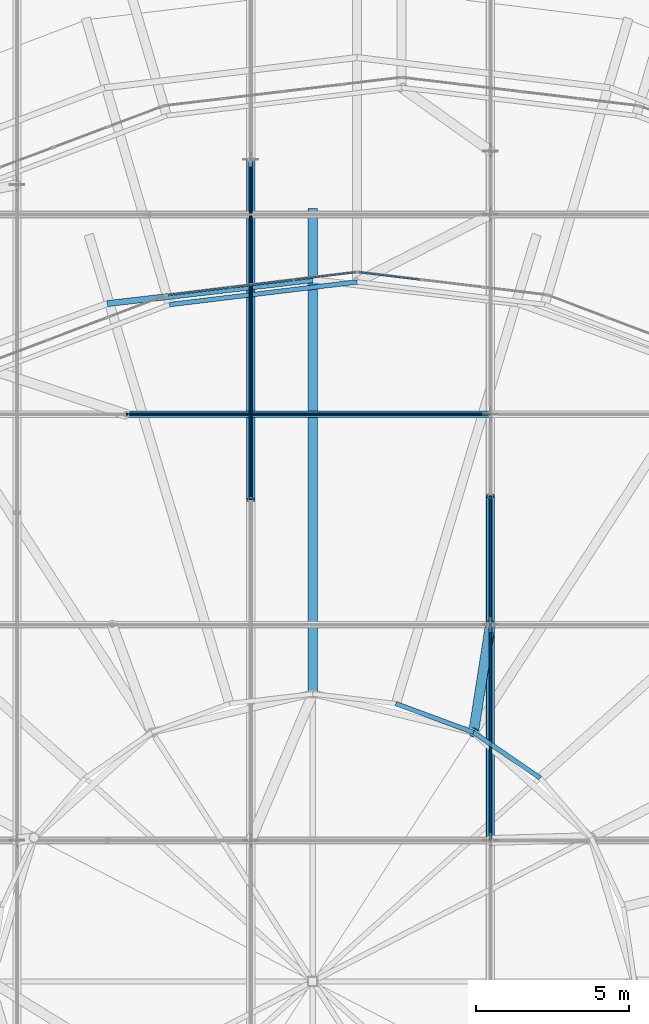
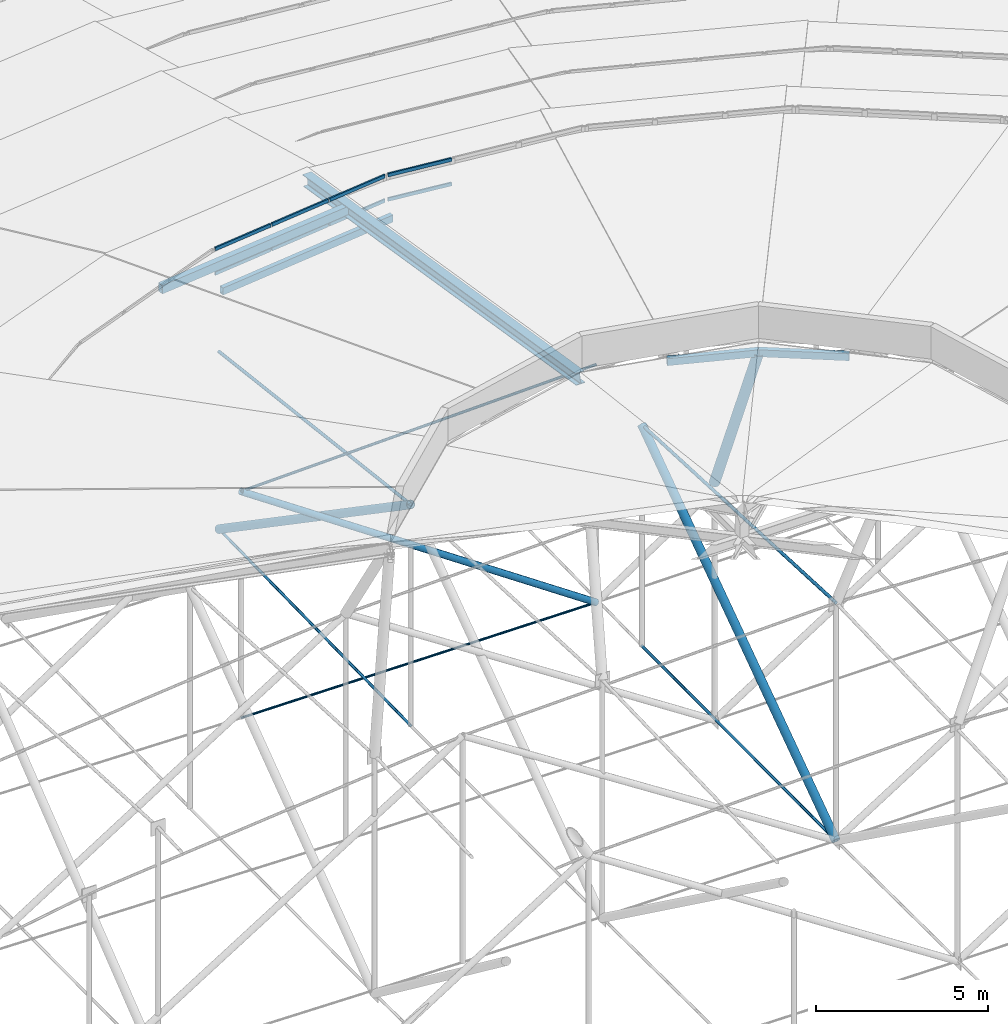
# One storey, part 67 of 173: 23 members, 2 elements without a shape of their own.
"""IFC4 building model written with IfcOpenShell, lengths in metres."""

from ifc_helpers import new_model, si_unit, direction, frame, origin, origin_2d, place, context, subcontext, project, spatial, rectangle, hollow_rectangle, circle, hollow_circle, i_section, extrude, material, material_profile, profile_set, type_object, element, aggregate, save


model = new_model("IFC4")

# Units and contexts
model_context = context("Model", 3, precision=1e-05, world=origin(), true_north=direction((0.0, 1.0)))
body_context = subcontext(model_context, "Body", "Model", "MODEL_VIEW")
ifc_project = project(units=[si_unit("LENGTHUNIT", "METRE"), si_unit("AREAUNIT", "SQUARE_METRE"), si_unit("VOLUMEUNIT", "CUBIC_METRE"), si_unit("PLANEANGLEUNIT", "RADIAN"), si_unit("MASSUNIT", "GRAM", prefix="KILO")], contexts=[model_context])

# Site, building, storey
site_placement = place(None, origin())
site = spatial("IfcSite", under=ifc_project, at=site_placement, CompositionType="ELEMENT")
building_placement = place(site_placement, origin())
building = spatial("IfcBuilding", under=site, at=building_placement, Name="Glasvene Arena", CompositionType="ELEMENT")
storey_placement = place(building_placement, frame((0.0, 0.0, 28.800048828125)))
storey = spatial("IfcBuildingStorey", under=building, at=storey_placement, Name="RF", CompositionType="ELEMENT", Elevation=28.800048828125)

# Curtain wall, members
ifc_material_1 = material(Name="Low-emissivity laminated double glazing", Category="glass")
curtain_wall_type = type_object("IfcCurtainWallType", Name="CW-PET4-626x92", PredefinedType="USERDEFINED", material=ifc_material_1)
curtain_wall_1_placement = place(storey_placement, frame((93.86181640625, 90.80029296875, 0.0)))
curtain_wall_1 = element("IfcCurtainWall", 1, at=curtain_wall_1_placement, inside=storey, type_object=curtain_wall_type, Name="Petal ring 4-5 clerestory curtain wall 06", ObjectType="CURTAIN WALL", PredefinedType="USERDEFINED")
ifc_material_2 = material(Name="Anodised architectural aluminium", Category="aluminium")
ifc_material_profile_1 = material_profile(ifc_material_2, rectangle(XDim=0.050048828125, YDim=0.1201171875, at=origin_2d()), Name="ALU TRANSOM 50x120")
ifc_profile_set_1 = profile_set([ifc_material_profile_1], Name="Anodised architectural aluminium")
member_type_1 = type_object("IfcMemberType", Name="CW-TRN-120", PredefinedType="USERDEFINED", material=ifc_profile_set_1)
member_1_placement = place(storey_placement, frame((89.69580078125, 91.30322265625, 10.554931640625), z_axis=(-0.992806567032, 0.119729363392, 0.0), x_axis=(-0.119729363392, -0.992806567032, 0.0)))
member_1 = element("IfcMember", 2, at=member_1_placement, type_object=member_type_1, Name="CW-104 transom 3.1", ObjectType="TRANSOM", PredefinedType="USERDEFINED", context=body_context, shape_type="SweptSolid", body=[
    extrude(rectangle(XDim=0.050048828125, YDim=0.1201171875, at=origin_2d()), origin(), (0.0, 0.0, 1.0), 2.010498046875),
])
member_2_placement = place(storey_placement, frame((89.69580078125, 91.30322265625, 11.4208984375), z_axis=(-0.992806567032, 0.119729363392, 0.0), x_axis=(-0.119729363392, -0.992806567032, 0.0)))
member_2 = element("IfcMember", 3, at=member_2_placement, type_object=member_type_1, Name="CW-104 transom 3.2", ObjectType="TRANSOM", PredefinedType="USERDEFINED", context=body_context, shape_type="SweptSolid", body=[
    extrude(rectangle(XDim=0.050048828125, YDim=0.1201171875, at=origin_2d()), origin(), (0.0, 0.0, 1.0), 2.010498046875),
])
aggregate(curtain_wall_1, [member_1, member_2])

curtain_wall_2_placement = place(storey_placement, frame((87.64990234375, 91.550048828125, 0.0)))
curtain_wall_2 = element("IfcCurtainWall", 4, at=curtain_wall_2_placement, inside=storey, type_object=curtain_wall_type, Name="Petal ring 4-5 clerestory curtain wall 07", ObjectType="CURTAIN WALL", PredefinedType="USERDEFINED")
member_3_placement = place(storey_placement, frame((87.600341796875, 91.5439453125, 10.554931640625), z_axis=(-0.992806567032, -0.119729363392, 0.0), x_axis=(0.119729363392, -0.992806567032, 0.0)))
member_3 = element("IfcMember", 5, at=member_3_placement, type_object=member_type_1, Name="CW-104 transom 1.1", ObjectType="TRANSOM", PredefinedType="USERDEFINED", context=body_context, shape_type="SweptSolid", body=[
    extrude(rectangle(XDim=0.050048828125, YDim=0.1201171875, at=origin_2d()), origin(), (0.0, 0.0, 1.0), 2.010498046875),
])
member_4_placement = place(storey_placement, frame((87.600341796875, 91.5439453125, 11.4208984375), z_axis=(-0.992806567032, -0.119729363392, 0.0), x_axis=(0.119729363392, -0.992806567032, 0.0)))
member_4 = element("IfcMember", 6, at=member_4_placement, type_object=member_type_1, Name="CW-104 transom 1.2", ObjectType="TRANSOM", PredefinedType="USERDEFINED", context=body_context, shape_type="SweptSolid", body=[
    extrude(rectangle(XDim=0.050048828125, YDim=0.1201171875, at=origin_2d()), origin(), (0.0, 0.0, 1.0), 2.010498046875),
])
member_5_placement = place(storey_placement, frame((85.5546875, 91.297119140625, 10.554931640625), z_axis=(-0.992796596889, -0.119812007767, 0.0), x_axis=(0.119812007767, -0.992796596889, 0.0)))
member_5 = element("IfcMember", 7, at=member_5_placement, type_object=member_type_1, Name="CW-104 transom 2.1", ObjectType="TRANSOM", PredefinedType="USERDEFINED", context=body_context, shape_type="SweptSolid", body=[
    extrude(rectangle(XDim=0.050048828125, YDim=0.1201171875, at=origin_2d()), origin(), (0.0, 0.0, 1.0), 2.03564453125),
])
member_6_placement = place(storey_placement, frame((85.5546875, 91.297119140625, 11.4208984375), z_axis=(-0.992796596889, -0.119812007767, 0.0), x_axis=(0.119812007767, -0.992796596889, 0.0)))
member_6 = element("IfcMember", 8, at=member_6_placement, type_object=member_type_1, Name="CW-104 transom 2.2", ObjectType="TRANSOM", PredefinedType="USERDEFINED", context=body_context, shape_type="SweptSolid", body=[
    extrude(rectangle(XDim=0.050048828125, YDim=0.1201171875, at=origin_2d()), origin(), (0.0, 0.0, 1.0), 2.03564453125),
])
member_7_placement = place(storey_placement, frame((83.484130859375, 91.04736328125, 10.554931640625), z_axis=(-0.992792125949, -0.119849049451, 0.0), x_axis=(0.119849049451, -0.992792125949, 0.0)))
member_7 = element("IfcMember", 9, at=member_7_placement, type_object=member_type_1, Name="CW-104 transom 3.1", ObjectType="TRANSOM", PredefinedType="USERDEFINED", context=body_context, shape_type="SweptSolid", body=[
    extrude(rectangle(XDim=0.050048828125, YDim=0.1201171875, at=origin_2d()), origin(), (0.0, 0.0, 1.0), 2.010498046875),
])
member_8_placement = place(storey_placement, frame((83.484130859375, 91.04736328125, 11.4208984375), z_axis=(-0.992792125949, -0.119849049451, 0.0), x_axis=(0.119849049451, -0.992792125949, 0.0)))
member_8 = element("IfcMember", 10, at=member_8_placement, type_object=member_type_1, Name="CW-104 transom 3.2", ObjectType="TRANSOM", PredefinedType="USERDEFINED", context=body_context, shape_type="SweptSolid", body=[
    extrude(rectangle(XDim=0.050048828125, YDim=0.1201171875, at=origin_2d()), origin(), (0.0, 0.0, 1.0), 2.010498046875),
])
aggregate(curtain_wall_2, [member_3, member_4, member_5, member_6, member_7, member_8])

# Members
ifc_material_3 = material(Name="High-strength steel spiral strand S460", Category="steel")
ifc_material_profile_2 = material_profile(ifc_material_3, circle(Radius=0.052490234375, at=origin_2d()), Name="LCSS D105")
ifc_profile_set_2 = profile_set([ifc_material_profile_2], Name="High-strength steel spiral strand S460")
member_type_2 = type_object("IfcMemberType", Name="MB-CABLE-105", PredefinedType="USERDEFINED", material=ifc_profile_set_2)
member_9_placement = place(storey_placement, frame((92.0, 73.0, 6.02001953125), z_axis=(0.0, 0.998930379928, -0.04623955079), x_axis=(-1.0, 0.0, 0.0)))
element("IfcMember", 11, at=member_9_placement, inside=storey, type_object=member_type_2, Name="Upper lens roof cable NS05-05", ObjectType="ROOF CABLE", PredefinedType="USERDEFINED", context=body_context, shape_type="SweptSolid", body=[
    extrude(circle(Radius=0.052490234375, at=origin_2d()), origin(), (0.0, 0.0, 1.0), 11.261962890625),
])
member_10_placement = place(storey_placement, frame((84.17822265625, 84.111572265625, 5.499267578125), z_axis=(0.0, 0.992888292439, -0.119049732199), x_axis=(-1.0, 0.0, 0.0)))
element("IfcMember", 12, at=member_10_placement, inside=storey, type_object=member_type_2, Name="Upper lens roof cable NS06-06", ObjectType="ROOF CABLE", PredefinedType="USERDEFINED", context=body_context, shape_type="SweptSolid", body=[
    extrude(circle(Radius=0.052490234375, at=origin_2d()), origin(), (0.0, 0.0, 1.0), 11.19091796875),
])
ifc_material_profile_3 = material_profile(ifc_material_3, circle(Radius=0.03759765625, at=origin_2d()), Name="LCSS D75")
ifc_profile_set_3 = profile_set([ifc_material_profile_3], Name="High-strength steel spiral strand S460")
member_type_3 = type_object("IfcMemberType", Name="MB-CABLE-75", PredefinedType="USERDEFINED", material=ifc_profile_set_3)
member_11_placement = place(storey_placement, frame((80.11181640625, 86.90576171875, -2.328125), z_axis=(0.999981649362, 0.0, -0.006058130089), x_axis=(0.0, 1.0, 0.0)))
element("IfcMember", 13, at=member_11_placement, inside=storey, type_object=member_type_3, Name="Lower stabilization roof cable EW06-04", ObjectType="ROOF CABLE", PredefinedType="USERDEFINED", context=body_context, shape_type="SweptSolid", body=[
    extrude(circle(Radius=0.03759765625, at=origin_2d()), origin(), (0.0, 0.0, 1.0), 11.888427734375),
])
ifc_material_profile_4 = material_profile(ifc_material_3, circle(Radius=0.044921875, at=origin_2d()), Name="LCSS D90")
ifc_profile_set_4 = profile_set([ifc_material_profile_4], Name="High-strength steel spiral strand S460")
member_type_4 = type_object("IfcMemberType", Name="MB-CABLE-90", PredefinedType="USERDEFINED", material=ifc_profile_set_4)
member_12_placement = place(storey_placement, frame((92.0, 73.0, -2.400146484375), z_axis=(0.0, 0.999979508406, 0.006401778537), x_axis=(-1.0, 0.0, 0.0)))
element("IfcMember", 14, at=member_12_placement, inside=storey, type_object=member_type_4, Name="Lower stabilization roof cable NS05-05", ObjectType="ROOF CABLE", PredefinedType="USERDEFINED", context=body_context, shape_type="SweptSolid", body=[
    extrude(circle(Radius=0.044921875, at=origin_2d()), origin(), (0.0, 0.0, 1.0), 11.250244140625),
])
member_13_placement = place(storey_placement, frame((84.17822265625, 84.111572265625, -2.328125), z_axis=(0.0, 0.999811844471, 0.019397826039), x_axis=(-1.0, 0.0, 0.0)))
element("IfcMember", 15, at=member_13_placement, inside=storey, type_object=member_type_4, Name="Lower stabilization roof cable NS06-06", ObjectType="ROOF CABLE", PredefinedType="USERDEFINED", context=body_context, shape_type="SweptSolid", body=[
    extrude(circle(Radius=0.044921875, at=origin_2d()), origin(), (0.0, 0.0, 1.0), 11.113525390625),
])
member_14_placement = place(storey_placement, frame((80.11181640625, 86.90576171875, 5.6904296875), z_axis=(0.999615907021, 0.0, 0.027713506273), x_axis=(0.0, 1.0, 0.0)))
element("IfcMember", 16, at=member_14_placement, inside=storey, type_object=member_type_4, Name="Upper lens roof cable EW06-04", ObjectType="ROOF CABLE", PredefinedType="USERDEFINED", context=body_context, shape_type="SweptSolid", body=[
    extrude(circle(Radius=0.044921875, at=origin_2d()), origin(), (0.0, 0.0, 1.0), 11.892822265625),
])
ifc_material_4 = material(Name="Steel S355J2", Category="steel")
ifc_material_profile_5 = material_profile(ifc_material_4, i_section(OverallWidth=0.300048828125, OverallDepth=0.39990234375, WebThickness=0.013427734375, FlangeThickness=0.02392578125, FilletRadius=0.027099609375, at=origin_2d()), Name="HEB 400")
ifc_profile_set_5 = profile_set([ifc_material_profile_5], Name="Steel S355J2")
member_type_5 = type_object("IfcMemberType", Name="MB-CHORD-HEB400", PredefinedType="CHORD", material=ifc_profile_set_5)
member_15_placement = place(storey_placement, frame((86.199951171875, 93.60009765625, 10.550048828125), z_axis=(0.0, -0.987254331194, 0.159150512217), x_axis=(1.0, 0.0, 0.0)))
element("IfcMember", 17, at=member_15_placement, inside=storey, type_object=member_type_5, Name="Petal ring 5 radial rib 07", PredefinedType="CHORD", context=body_context, shape_type="SweptSolid", body=[
    extrude(i_section(OverallWidth=0.300048828125, OverallDepth=0.39990234375, WebThickness=0.013427734375, FlangeThickness=0.02392578125, FilletRadius=0.027099609375, at=origin_2d()), origin(), (0.0, 0.0, 1.0), 16.021240234375),
])
ifc_material_profile_6 = material_profile(ifc_material_4, hollow_circle(Radius=0.161865234375, WallThickness=0.01611328125, at=origin_2d()), Name="CHS 323.9x16.0")
ifc_profile_set_6 = profile_set([ifc_material_profile_6], Name="Steel S355J2")
member_type_6 = type_object("IfcMemberType", Name="MB-POST-CHS324", PredefinedType="BRACE", material=ifc_profile_set_6)
member_16_placement = place(storey_placement, frame((92.0, 80.03955078125, 6.02001953125), z_axis=(-0.070600665308, -0.450991910834, 0.889731331594), x_axis=(0.987967493225, -0.154661670528, 0.0)))
element("IfcMember", 18, at=member_16_placement, inside=storey, type_object=member_type_6, Name="Petal ring 5 ridge support post 05", PredefinedType="BRACE", context=body_context, shape_type="SweptSolid", body=[
    extrude(hollow_circle(Radius=0.161865234375, WallThickness=0.01611328125, at=origin_2d()), origin(), (0.0, 0.0, 1.0), 7.791015625),
])
ifc_material_profile_7 = material_profile(ifc_material_4, hollow_rectangle(XDim=0.14990234375, YDim=0.25, WallThickness=0.010009765625, at=origin_2d()), Name="RHS 250x150x10.0")
ifc_profile_set_7 = profile_set([ifc_material_profile_7], Name="Steel S355J2")
member_type_7 = type_object("IfcMemberType", Name="MB-PURLIN-RHS250", PredefinedType="PURLIN", material=ifc_profile_set_7)
member_17_placement = place(storey_placement, frame((87.64990234375, 91.226318359375, 10.1318359375), z_axis=(-0.992799997938, -0.119783822342, 0.0), x_axis=(0.119783822342, -0.992799997938, 0.0)))
element("IfcMember", 19, at=member_17_placement, inside=storey, type_object=member_type_7, Name="Petal ring 4 ridge purlin 07", PredefinedType="PURLIN", context=body_context, shape_type="SweptSolid", body=[
    extrude(hollow_rectangle(XDim=0.14990234375, YDim=0.25, WallThickness=0.010009765625, at=origin_2d()), origin(), (0.0, 0.0, 1.0), 6.16552734375),
])
member_18_placement = place(storey_placement, frame((93.62451171875, 75.034912109375, 12.951904296875), z_axis=(-0.824757231308, 0.56548696661, 0.0), x_axis=(-0.56548696661, -0.824757231308, 0.0)))
element("IfcMember", 20, at=member_18_placement, inside=storey, type_object=member_type_7, Name="Petal ring 5 ridge purlin 04", PredefinedType="PURLIN", context=body_context, shape_type="SweptSolid", body=[
    extrude(hollow_rectangle(XDim=0.14990234375, YDim=0.25, WallThickness=0.010009765625, at=origin_2d()), origin(), (0.0, 0.0, 1.0), 2.63671875),
])
member_19_placement = place(storey_placement, frame((91.449951171875, 76.52587890625, 12.951904296875), z_axis=(-0.937803277577, 0.347167124833, 0.0), x_axis=(-0.347167124833, -0.937803277577, 0.0)))
element("IfcMember", 21, at=member_19_placement, inside=storey, type_object=member_type_7, Name="Petal ring 5 ridge purlin 05", PredefinedType="PURLIN", context=body_context, shape_type="SweptSolid", body=[
    extrude(hollow_rectangle(XDim=0.14990234375, YDim=0.25, WallThickness=0.010009765625, at=origin_2d()), origin(), (0.0, 0.0, 1.0), 2.700439453125),
])
ifc_material_profile_8 = material_profile(ifc_material_4, hollow_rectangle(XDim=0.199951171875, YDim=0.300048828125, WallThickness=0.012451171875, at=origin_2d()), Name="RHS 300x200x12.5")
ifc_profile_set_8 = profile_set([ifc_material_profile_8], Name="Steel S355J2")
member_type_8 = type_object("IfcMemberType", Name="MB-PURLIN-RHS300", PredefinedType="PURLIN", material=ifc_profile_set_8)
member_20_placement = place(storey_placement, frame((86.199951171875, 91.300048828125, 10.9013671875), z_axis=(-0.993293570606, -0.115619559735, 0.0), x_axis=(0.115619559735, -0.993293570606, 0.0)))
element("IfcMember", 22, at=member_20_placement, inside=storey, type_object=member_type_8, Name="Petal ring 5 outer purlin 07", PredefinedType="PURLIN", context=body_context, shape_type="SweptSolid", body=[
    extrude(hollow_rectangle(XDim=0.199951171875, YDim=0.300048828125, WallThickness=0.012451171875, at=origin_2d()), origin(), (0.0, 0.0, 1.0), 6.74853515625),
])
ifc_material_profile_9 = material_profile(ifc_material_4, hollow_circle(Radius=0.109619140625, WallThickness=0.010009765625, at=origin_2d()), Name="CHS 219.1x10.0")
ifc_profile_set_9 = profile_set([ifc_material_profile_9], Name="Steel S355J2")
member_type_9 = type_object("IfcMemberType", Name="MB-WEB-CHS219", PredefinedType="BRACE", material=ifc_profile_set_9)
member_21_placement = place(storey_placement, frame((80.11181640625, 86.90576171875, 5.6904296875), z_axis=(0.826712660605, 0.0, -0.562624365626), x_axis=(0.0, 1.0, 0.0)))
element("IfcMember", 23, at=member_21_placement, inside=storey, type_object=member_type_9, Name="Cable-truss diagonal web strut EW06-04", PredefinedType="BRACE", context=body_context, shape_type="SweptSolid", body=[
    extrude(hollow_circle(Radius=0.109619140625, WallThickness=0.010009765625, at=origin_2d()), origin(), (0.0, 0.0, 1.0), 14.380126953125),
])
ifc_material_profile_10 = material_profile(ifc_material_4, hollow_circle(Radius=0.136474609375, WallThickness=0.012451171875, at=origin_2d()), Name="CHS 273.0x12.5")
ifc_profile_set_10 = profile_set([ifc_material_profile_10], Name="Steel S355J2")
member_type_10 = type_object("IfcMemberType", Name="MB-WEB-CHS273", PredefinedType="BRACE", material=ifc_profile_set_10)
member_22_placement = place(storey_placement, frame((92.0, 73.0, -2.400146484375), z_axis=(0.0, 0.818396674769, 0.574653706789), x_axis=(-1.0, 0.0, 0.0)))
element("IfcMember", 24, at=member_22_placement, inside=storey, type_object=member_type_10, Name="Cable-truss diagonal web strut NS05-05", PredefinedType="BRACE", context=body_context, shape_type="SweptSolid", body=[
    extrude(hollow_circle(Radius=0.136474609375, WallThickness=0.012451171875, at=origin_2d()), origin(), (0.0, 0.0, 1.0), 13.746337890625),
])
member_23_placement = place(storey_placement, frame((84.17822265625, 84.111572265625, 5.499267578125), z_axis=(0.0, 0.824984333575, -0.565155597473), x_axis=(-1.0, 0.0, 0.0)))
element("IfcMember", 25, at=member_23_placement, inside=storey, type_object=member_type_10, Name="Cable-truss diagonal web strut NS06-06", PredefinedType="BRACE", context=body_context, shape_type="SweptSolid", body=[
    extrude(hollow_circle(Radius=0.136474609375, WallThickness=0.012451171875, at=origin_2d()), origin(), (0.0, 0.0, 1.0), 13.468505859375),
])

save(model, "model.ifc")
